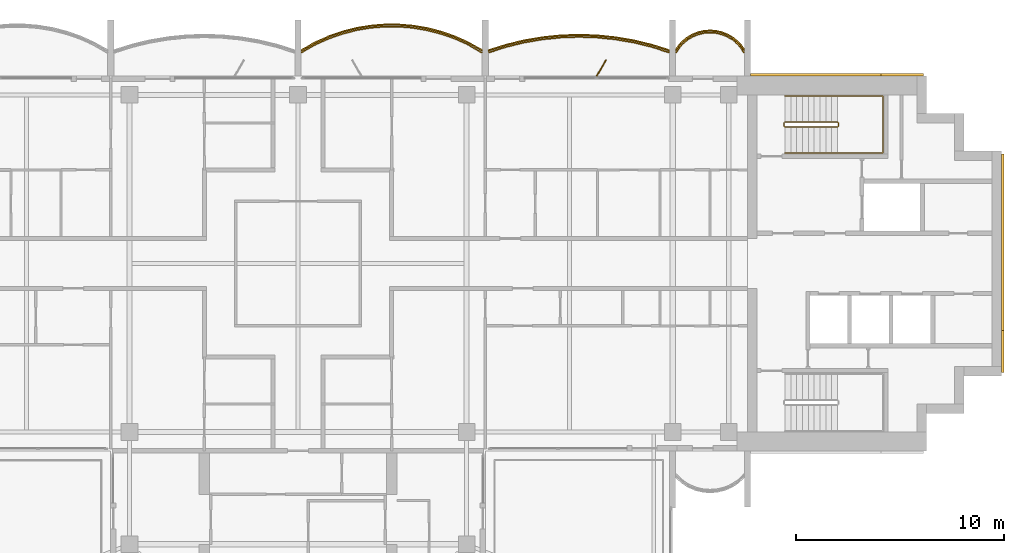
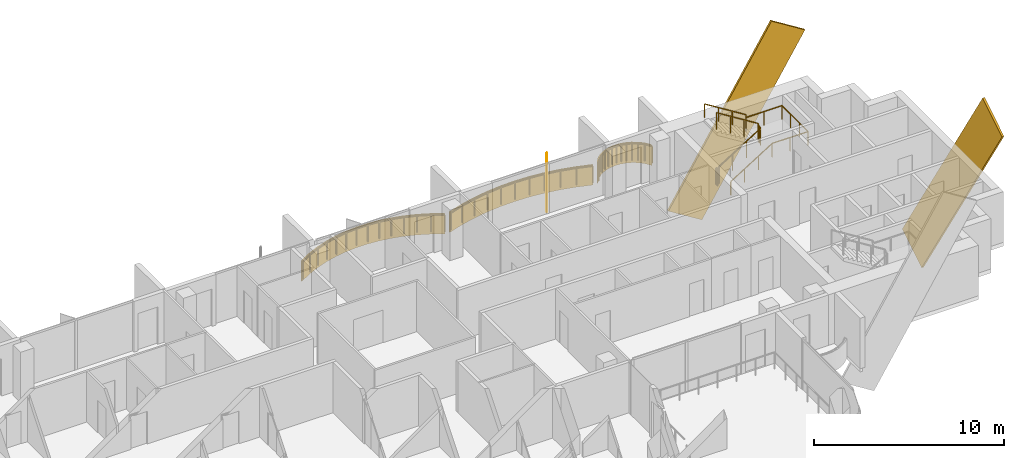
# One storey, part 16 of 16: 5 coverings, 5 railings, 1 shading device.
"""IFC4 building model written with IfcOpenShell, lengths in metres."""

from ifc_helpers import new_model, si_unit, direction, frame, origin, origin_2d, place, context, subcontext, project, spatial, polyline, rectangle, outline, extrude, material, layer, layer_set, material_profile, profile_set, type_object, element, save


model = new_model("IFC4")

# Units and contexts
model_context = context("Model", 3, precision=1e-05, world=origin(), true_north=direction((0.0, 1.0)))
body_context = subcontext(model_context, "Body", "Model", "MODEL_VIEW")
ifc_project = project(units=[si_unit("LENGTHUNIT", "METRE"), si_unit("AREAUNIT", "SQUARE_METRE"), si_unit("VOLUMEUNIT", "CUBIC_METRE"), si_unit("PLANEANGLEUNIT", "RADIAN"), si_unit("MASSUNIT", "GRAM", prefix="KILO")], contexts=[model_context])

# Site, building, storey
site_placement = place(None, origin())
site = spatial("IfcSite", under=ifc_project, at=site_placement, CompositionType="ELEMENT")
building_placement = place(site_placement, origin())
building = spatial("IfcBuilding", under=site, at=building_placement, Name="Perihelion Cross Residences", CompositionType="ELEMENT")
storey_placement = place(building_placement, frame((0.0, 0.0, 239.5)))
storey = spatial("IfcBuildingStorey", under=building, at=storey_placement, Name="L60", CompositionType="ELEMENT", Elevation=239.5)

# Coverings
ifc_material_1 = material(Name="Bronze anodised aluminium", Category="aluminium")
ifc_layer_1 = layer(ifc_material_1, 0.070068359375)
ifc_layer_set_1 = layer_set([ifc_layer_1], Name="Balcony fascia 1300")
covering_type_1 = type_object("IfcCoveringType", Name="Balcony fascia 1300", PredefinedType="CLADDING", material=ifc_layer_set_1)
covering_1_placement = place(storey_placement, frame((0.0, 0.0, -0.199951171875)))
element("IfcCovering", 1, at=covering_1_placement, inside=storey, type_object=covering_type_1, Name="Fascia BF1 L60 east side north bay 1", PredefinedType="CLADDING", context=body_context, shape_type="SweptSolid", body=[
    extrude(outline(polyline([(21.226318359375, 10.616455078125), (20.94091796875, 10.86328125), (20.655517578125, 11.031494140625), (20.370361328125, 11.142578125), (20.085205078125, 11.206298828125), (19.800048828125, 11.22705078125), (19.514892578125, 11.206298828125), (19.229736328125, 11.142578125), (18.9443359375, 11.031494140625), (18.6591796875, 10.86328125), (18.373779296875, 10.616455078125), (18.14990234375, 10.31689453125), (18.14990234375, 10.199951171875), (18.425048828125, 10.568603515625), (18.699951171875, 10.806396484375), (18.97509765625, 10.96875), (19.25, 11.07568359375), (19.52490234375, 11.136962890625), (19.800048828125, 11.156982421875), (20.074951171875, 11.136962890625), (20.35009765625, 11.07568359375), (20.625, 10.96875), (20.89990234375, 10.806396484375), (21.175048828125, 10.568603515625), (21.449951171875, 10.199951171875), (21.449951171875, 10.31689453125), (21.226318359375, 10.616455078125)])), origin(), (0.0, 0.0, 1.0), 1.300048828125),
])
covering_2_placement = place(storey_placement, frame((0.0, 0.0, -0.199951171875)))
element("IfcCovering", 2, at=covering_2_placement, inside=storey, type_object=covering_type_1, Name="Fascia BF1 L60 east side north bay 2", PredefinedType="CLADDING", context=body_context, shape_type="SweptSolid", body=[
    extrude(outline(polyline([(16.998779296875, 10.542724609375), (16.1240234375, 10.753662109375), (15.249267578125, 10.90234375), (14.374755859375, 10.99072265625), (13.5, 11.02001953125), (12.625244140625, 10.99072265625), (11.750732421875, 10.90234375), (10.8759765625, 10.753662109375), (10.001220703125, 10.542724609375), (9.14990234375, 10.2734375), (9.14990234375, 10.199951171875), (10.02001953125, 10.47509765625), (10.889892578125, 10.68505859375), (11.760009765625, 10.8330078125), (12.6298828125, 10.9208984375), (13.5, 10.949951171875), (14.3701171875, 10.9208984375), (15.239990234375, 10.8330078125), (16.110107421875, 10.68505859375), (16.97998046875, 10.47509765625), (17.85009765625, 10.199951171875), (17.85009765625, 10.2734375), (16.998779296875, 10.542724609375)])), origin(), (0.0, 0.0, 1.0), 1.300048828125),
])
covering_3_placement = place(storey_placement, frame((0.0, 0.0, -0.199951171875)))
element("IfcCovering", 3, at=covering_3_placement, inside=storey, type_object=covering_type_1, Name="Fascia BF1 L60 north side east bay 1", PredefinedType="CLADDING", context=body_context, shape_type="SweptSolid", body=[
    extrude(outline(polyline([(8.212158203125, 10.63916015625), (7.537353515625, 10.941650390625), (6.8623046875, 11.175048828125), (6.1875, 11.345947265625), (5.512451171875, 11.457763671875), (4.83740234375, 11.51318359375), (4.16259765625, 11.51318359375), (3.487548828125, 11.457763671875), (2.8125, 11.345947265625), (2.1376953125, 11.175048828125), (1.462646484375, 10.941650390625), (0.787841796875, 10.63916015625), (0.14990234375, 10.2802734375), (0.14990234375, 10.199951171875), (0.8193359375, 10.57666015625), (1.488525390625, 10.87646484375), (2.15771484375, 11.108154296875), (2.826904296875, 11.27734375), (3.49609375, 11.38818359375), (4.165283203125, 11.443115234375), (4.834716796875, 11.443115234375), (5.50390625, 11.38818359375), (6.173095703125, 11.27734375), (6.84228515625, 11.108154296875), (7.511474609375, 10.87646484375), (8.1806640625, 10.57666015625), (8.85009765625, 10.199951171875), (8.85009765625, 10.2802734375), (8.212158203125, 10.63916015625)])), origin(), (0.0, 0.0, 1.0), 1.300048828125),
])

# Railings
ifc_material_2 = material(Name="Bronze anodised aluminium", Category="aluminium")
railing_type_1 = type_object("IfcRailingType", Name="Balcony guard 1100", PredefinedType="GUARDRAIL", material=ifc_material_2)
railing_1_placement = place(storey_placement, frame((21.425048828125, 10.139892578125, 0.0)))
element("IfcRailing", 4, at=railing_1_placement, inside=storey, type_object=railing_type_1, Name="Guard GU1 L60 east side north bay 1 balcony", PredefinedType="GUARDRAIL", context=body_context, shape_type="SweptSolid", body=[
    extrude(rectangle(XDim=0.048095703125, YDim=0.048095703125, at=origin_2d()), frame((0.0, 0.0, 1.076171875), z_axis=(-0.561260132269, 0.827639452857, 0.0), x_axis=(-0.827639452857, -0.561260132269, 0.0)), (0.0, 0.0, 1.0), 0.4453125),
    extrude(rectangle(XDim=0.048095703125, YDim=0.048095703125, at=origin_2d()), frame((-0.25, 0.36865234375, 1.076171875), z_axis=(-0.756596535164, 0.653882009982, 0.0), x_axis=(-0.653882009982, -0.756596535164, 0.0)), (0.0, 0.0, 1.0), 0.36376953125),
    extrude(rectangle(XDim=0.048095703125, YDim=0.048095703125, at=origin_2d()), frame((-0.525146484375, 0.6064453125, 1.076171875), z_axis=(-0.861048292884, 0.508523192511, 0.0), x_axis=(-0.508523192511, -0.861048292884, 0.0)), (0.0, 0.0, 1.0), 0.3193359375),
    extrude(rectangle(XDim=0.048095703125, YDim=0.048095703125, at=origin_2d()), frame((-0.800048828125, 0.768798828125, 1.076171875), z_axis=(-0.931973602183, 0.362526143656, 0.0), x_axis=(-0.362526143656, -0.931973602183, 0.0)), (0.0, 0.0, 1.0), 0.294921875),
    extrude(rectangle(XDim=0.048095703125, YDim=0.048095703125, at=origin_2d()), frame((-1.074951171875, 0.875732421875, 1.076171875), z_axis=(-0.976085059389, 0.21738895289, 0.0), x_axis=(-0.21738895289, -0.976085059389, 0.0)), (0.0, 0.0, 1.0), 0.281982421875),
    extrude(rectangle(XDim=0.048095703125, YDim=0.048095703125, at=origin_2d()), frame((-1.35009765625, 0.93701171875, 1.076171875), z_axis=(-0.997358821833, 0.072631814734, 0.0), x_axis=(-0.072631814734, -0.997358821833, 0.0)), (0.0, 0.0, 1.0), 0.275634765625),
    extrude(rectangle(XDim=0.048095703125, YDim=0.048095703125, at=origin_2d()), frame((-1.625, 0.95703125, 1.076171875), z_axis=(-0.997363488337, -0.072567707226, 0.0), x_axis=(0.072567707226, -0.997363488337, 0.0)), (0.0, 0.0, 1.0), 0.27587890625),
    extrude(rectangle(XDim=0.048095703125, YDim=0.048095703125, at=origin_2d()), frame((-1.900146484375, 0.93701171875, 1.076171875), z_axis=(-0.976044077717, -0.217572880557, 0.0), x_axis=(0.217572880557, -0.976044077717, 0.0)), (0.0, 0.0, 1.0), 0.28173828125),
    extrude(rectangle(XDim=0.048095703125, YDim=0.048095703125, at=origin_2d()), frame((-2.175048828125, 0.875732421875, 1.076171875), z_axis=(-0.931973602183, -0.362526143656, 0.0), x_axis=(0.362526143656, -0.931973602183, 0.0)), (0.0, 0.0, 1.0), 0.294921875),
    extrude(rectangle(XDim=0.048095703125, YDim=0.048095703125, at=origin_2d()), frame((-2.449951171875, 0.768798828125, 1.076171875), z_axis=(-0.861245845072, -0.508188542123, 0.0), x_axis=(0.508188542123, -0.861245845072, 0.0)), (0.0, 0.0, 1.0), 0.319580078125),
    extrude(rectangle(XDim=0.048095703125, YDim=0.048095703125, at=origin_2d()), frame((-2.72509765625, 0.6064453125, 1.076171875), z_axis=(-0.756309278473, -0.654214242658, 0.0), x_axis=(0.654214242658, -0.756309278473, 0.0)), (0.0, 0.0, 1.0), 0.363525390625),
    extrude(rectangle(XDim=0.048095703125, YDim=0.048095703125, at=origin_2d()), frame((-3.0, 0.36865234375, 1.076171875), z_axis=(-0.561260132269, -0.827639452857, 0.0), x_axis=(0.827639452857, -0.561260132269, 0.0)), (0.0, 0.0, 1.0), 0.4453125),
    extrude(rectangle(XDim=0.0419921875, YDim=0.0419921875, at=origin_2d()), origin(), (0.0, 0.0, 1.0), 1.052001953125),
    extrude(rectangle(XDim=0.0419921875, YDim=0.0419921875, at=origin_2d()), frame((-0.25, 0.36865234375, 0.0)), (0.0, 0.0, 1.0), 1.052001953125),
    extrude(rectangle(XDim=0.0419921875, YDim=0.0419921875, at=origin_2d()), frame((-0.525146484375, 0.6064453125, 0.0)), (0.0, 0.0, 1.0), 1.052001953125),
    extrude(rectangle(XDim=0.0419921875, YDim=0.0419921875, at=origin_2d()), frame((-0.800048828125, 0.768798828125, 0.0)), (0.0, 0.0, 1.0), 1.052001953125),
    extrude(rectangle(XDim=0.0419921875, YDim=0.0419921875, at=origin_2d()), frame((-1.074951171875, 0.875732421875, 0.0)), (0.0, 0.0, 1.0), 1.052001953125),
    extrude(rectangle(XDim=0.0419921875, YDim=0.0419921875, at=origin_2d()), frame((-1.35009765625, 0.93701171875, 0.0)), (0.0, 0.0, 1.0), 1.052001953125),
    extrude(rectangle(XDim=0.0419921875, YDim=0.0419921875, at=origin_2d()), frame((-1.625, 0.95703125, 0.0)), (0.0, 0.0, 1.0), 1.052001953125),
    extrude(rectangle(XDim=0.0419921875, YDim=0.0419921875, at=origin_2d()), frame((-1.900146484375, 0.93701171875, 0.0)), (0.0, 0.0, 1.0), 1.052001953125),
    extrude(rectangle(XDim=0.0419921875, YDim=0.0419921875, at=origin_2d()), frame((-2.175048828125, 0.875732421875, 0.0)), (0.0, 0.0, 1.0), 1.052001953125),
    extrude(rectangle(XDim=0.0419921875, YDim=0.0419921875, at=origin_2d()), frame((-2.449951171875, 0.768798828125, 0.0)), (0.0, 0.0, 1.0), 1.052001953125),
    extrude(rectangle(XDim=0.0419921875, YDim=0.0419921875, at=origin_2d()), frame((-2.72509765625, 0.6064453125, 0.0)), (0.0, 0.0, 1.0), 1.052001953125),
    extrude(rectangle(XDim=0.0419921875, YDim=0.0419921875, at=origin_2d()), frame((-3.0, 0.36865234375, 0.0)), (0.0, 0.0, 1.0), 1.052001953125),
    extrude(rectangle(XDim=0.0419921875, YDim=0.0419921875, at=origin_2d()), frame((-3.25, 0.0, 0.0)), (0.0, 0.0, 1.0), 1.052001953125),
])
railing_2_placement = place(storey_placement, frame((17.824951171875, 10.139892578125, 0.0)))
element("IfcRailing", 5, at=railing_2_placement, inside=storey, type_object=railing_type_1, Name="Guard GU1 L60 east side north bay 2 balcony", PredefinedType="GUARDRAIL", context=body_context, shape_type="SweptSolid", body=[
    extrude(rectangle(XDim=0.048095703125, YDim=0.048095703125, at=origin_2d()), frame((0.0, 0.0, 1.076171875), z_axis=(-0.950777354264, 0.30987484993, 0.0), x_axis=(-0.30987484993, -0.950777354264, 0.0)), (0.0, 0.0, 1.0), 0.888671875),
    extrude(rectangle(XDim=0.048095703125, YDim=0.048095703125, at=origin_2d()), frame((-0.844970703125, 0.275390625, 1.076171875), z_axis=(-0.972146551129, 0.234373810671, 0.0), x_axis=(-0.234373810671, -0.972146551129, 0.0)), (0.0, 0.0, 1.0), 0.894775390625),
    extrude(rectangle(XDim=0.048095703125, YDim=0.048095703125, at=origin_2d()), frame((-1.71484375, 0.485107421875, 1.076171875), z_axis=(-0.985850361727, 0.167627755108, 0.0), x_axis=(-0.167627755108, -0.985850361727, 0.0)), (0.0, 0.0, 1.0), 0.882568359375),
    extrude(rectangle(XDim=0.048095703125, YDim=0.048095703125, at=origin_2d()), frame((-2.5849609375, 0.633056640625, 1.076171875), z_axis=(-0.994934368303, 0.100526627165, 0.0), x_axis=(-0.100526627165, -0.994934368303, 0.0)), (0.0, 0.0, 1.0), 0.874267578125),
    extrude(rectangle(XDim=0.048095703125, YDim=0.048095703125, at=origin_2d()), frame((-3.454833984375, 0.720947265625, 1.076171875), z_axis=(-0.999443037968, 0.0333708534, 0.0), x_axis=(-0.0333708534, -0.999443037968, 0.0)), (0.0, 0.0, 1.0), 0.87060546875),
    extrude(rectangle(XDim=0.048095703125, YDim=0.048095703125, at=origin_2d()), frame((-4.324951171875, 0.75, 1.076171875), z_axis=(-0.999443037968, -0.0333708534, 0.0), x_axis=(0.0333708534, -0.999443037968, 0.0)), (0.0, 0.0, 1.0), 0.87060546875),
    extrude(rectangle(XDim=0.048095703125, YDim=0.048095703125, at=origin_2d()), frame((-5.195068359375, 0.720947265625, 1.076171875), z_axis=(-0.994934368303, -0.100526627165, 0.0), x_axis=(0.100526627165, -0.994934368303, 0.0)), (0.0, 0.0, 1.0), 0.874267578125),
    extrude(rectangle(XDim=0.048095703125, YDim=0.048095703125, at=origin_2d()), frame((-6.06494140625, 0.633056640625, 1.076171875), z_axis=(-0.985850361727, -0.167627755108, 0.0), x_axis=(0.167627755108, -0.985850361727, 0.0)), (0.0, 0.0, 1.0), 0.882568359375),
    extrude(rectangle(XDim=0.048095703125, YDim=0.048095703125, at=origin_2d()), frame((-6.93505859375, 0.485107421875, 1.076171875), z_axis=(-0.972146551129, -0.234373810671, 0.0), x_axis=(0.234373810671, -0.972146551129, 0.0)), (0.0, 0.0, 1.0), 0.894775390625),
    extrude(rectangle(XDim=0.048095703125, YDim=0.048095703125, at=origin_2d()), frame((-7.804931640625, 0.275390625, 1.076171875), z_axis=(-0.950777354264, -0.30987484993, 0.0), x_axis=(0.30987484993, -0.950777354264, 0.0)), (0.0, 0.0, 1.0), 0.888671875),
    extrude(rectangle(XDim=0.0419921875, YDim=0.0419921875, at=origin_2d()), origin(), (0.0, 0.0, 1.0), 1.052001953125),
    extrude(rectangle(XDim=0.0419921875, YDim=0.0419921875, at=origin_2d()), frame((-0.844970703125, 0.275390625, 0.0)), (0.0, 0.0, 1.0), 1.052001953125),
    extrude(rectangle(XDim=0.0419921875, YDim=0.0419921875, at=origin_2d()), frame((-1.71484375, 0.485107421875, 0.0)), (0.0, 0.0, 1.0), 1.052001953125),
    extrude(rectangle(XDim=0.0419921875, YDim=0.0419921875, at=origin_2d()), frame((-2.5849609375, 0.633056640625, 0.0)), (0.0, 0.0, 1.0), 1.052001953125),
    extrude(rectangle(XDim=0.0419921875, YDim=0.0419921875, at=origin_2d()), frame((-3.454833984375, 0.720947265625, 0.0)), (0.0, 0.0, 1.0), 1.052001953125),
    extrude(rectangle(XDim=0.0419921875, YDim=0.0419921875, at=origin_2d()), frame((-4.324951171875, 0.75, 0.0)), (0.0, 0.0, 1.0), 1.052001953125),
    extrude(rectangle(XDim=0.0419921875, YDim=0.0419921875, at=origin_2d()), frame((-5.195068359375, 0.720947265625, 0.0)), (0.0, 0.0, 1.0), 1.052001953125),
    extrude(rectangle(XDim=0.0419921875, YDim=0.0419921875, at=origin_2d()), frame((-6.06494140625, 0.633056640625, 0.0)), (0.0, 0.0, 1.0), 1.052001953125),
    extrude(rectangle(XDim=0.0419921875, YDim=0.0419921875, at=origin_2d()), frame((-6.93505859375, 0.485107421875, 0.0)), (0.0, 0.0, 1.0), 1.052001953125),
    extrude(rectangle(XDim=0.0419921875, YDim=0.0419921875, at=origin_2d()), frame((-7.804931640625, 0.275390625, 0.0)), (0.0, 0.0, 1.0), 1.052001953125),
    extrude(rectangle(XDim=0.0419921875, YDim=0.0419921875, at=origin_2d()), frame((-8.64990234375, 0.0, 0.0)), (0.0, 0.0, 1.0), 1.052001953125),
])
railing_3_placement = place(storey_placement, frame((8.824951171875, 10.139892578125, 0.0)))
element("IfcRailing", 6, at=railing_3_placement, inside=storey, type_object=railing_type_1, Name="Guard GU1 L60 north side east bay 1 balcony", PredefinedType="GUARDRAIL", context=body_context, shape_type="SweptSolid", body=[
    extrude(rectangle(XDim=0.048095703125, YDim=0.048095703125, at=origin_2d()), frame((0.0, 0.0, 1.076171875), z_axis=(-0.863125740505, 0.504989065305, 0.0), x_axis=(-0.504989065305, -0.863125740505, 0.0)), (0.0, 0.0, 1.0), 0.746337890625),
    extrude(rectangle(XDim=0.048095703125, YDim=0.048095703125, at=origin_2d()), frame((-0.644287109375, 0.376953125, 1.076171875), z_axis=(-0.912723499295, 0.408577794103, 0.0), x_axis=(-0.408577794103, -0.912723499295, 0.0)), (0.0, 0.0, 1.0), 0.733154296875),
    extrude(rectangle(XDim=0.048095703125, YDim=0.048095703125, at=origin_2d()), frame((-1.3134765625, 0.676513671875, 1.076171875), z_axis=(-0.944965577734, 0.327169767701, 0.0), x_axis=(-0.327169767701, -0.944965577734, 0.0)), (0.0, 0.0, 1.0), 0.708251953125),
    extrude(rectangle(XDim=0.048095703125, YDim=0.048095703125, at=origin_2d()), frame((-1.982666015625, 0.908203125, 1.076171875), z_axis=(-0.96949408574, 0.245114703181, 0.0), x_axis=(-0.245114703181, -0.96949408574, 0.0)), (0.0, 0.0, 1.0), 0.690185546875),
    extrude(rectangle(XDim=0.048095703125, YDim=0.048095703125, at=origin_2d()), frame((-2.65185546875, 1.077392578125, 1.076171875), z_axis=(-0.986500713816, 0.163756959061, 0.0), x_axis=(-0.163756959061, -0.986500713816, 0.0)), (0.0, 0.0, 1.0), 0.678466796875),
    extrude(rectangle(XDim=0.048095703125, YDim=0.048095703125, at=origin_2d()), frame((-3.321044921875, 1.1884765625, 1.076171875), z_axis=(-0.996677390684, 0.081450468994, 0.0), x_axis=(-0.081450468994, -0.996677390684, 0.0)), (0.0, 0.0, 1.0), 0.67138671875),
    extrude(rectangle(XDim=0.048095703125, YDim=0.048095703125, at=origin_2d()), frame((-3.990234375, 1.2431640625, 1.076171875), z_axis=(-1.0, 0.0, 0.0), x_axis=(0.0, -1.0, 0.0)), (0.0, 0.0, 1.0), 0.66943359375),
    extrude(rectangle(XDim=0.048095703125, YDim=0.048095703125, at=origin_2d()), frame((-4.65966796875, 1.2431640625, 1.076171875), z_axis=(-0.996677390684, -0.081450468994, 0.0), x_axis=(0.081450468994, -0.996677390684, 0.0)), (0.0, 0.0, 1.0), 0.67138671875),
    extrude(rectangle(XDim=0.048095703125, YDim=0.048095703125, at=origin_2d()), frame((-5.328857421875, 1.1884765625, 1.076171875), z_axis=(-0.986500713816, -0.163756959061, 0.0), x_axis=(0.163756959061, -0.986500713816, 0.0)), (0.0, 0.0, 1.0), 0.678466796875),
    extrude(rectangle(XDim=0.048095703125, YDim=0.048095703125, at=origin_2d()), frame((-5.998046875, 1.077392578125, 1.076171875), z_axis=(-0.96949408574, -0.245114703181, 0.0), x_axis=(0.245114703181, -0.96949408574, 0.0)), (0.0, 0.0, 1.0), 0.690185546875),
    extrude(rectangle(XDim=0.048095703125, YDim=0.048095703125, at=origin_2d()), frame((-6.667236328125, 0.908203125, 1.076171875), z_axis=(-0.944965577734, -0.327169767701, 0.0), x_axis=(0.327169767701, -0.944965577734, 0.0)), (0.0, 0.0, 1.0), 0.708251953125),
    extrude(rectangle(XDim=0.048095703125, YDim=0.048095703125, at=origin_2d()), frame((-7.33642578125, 0.676513671875, 1.076171875), z_axis=(-0.912723499295, -0.408577794103, 0.0), x_axis=(0.408577794103, -0.912723499295, 0.0)), (0.0, 0.0, 1.0), 0.733154296875),
    extrude(rectangle(XDim=0.048095703125, YDim=0.048095703125, at=origin_2d()), frame((-8.005615234375, 0.376953125, 1.076171875), z_axis=(-0.863125740505, -0.504989065305, 0.0), x_axis=(0.504989065305, -0.863125740505, 0.0)), (0.0, 0.0, 1.0), 0.746337890625),
    extrude(rectangle(XDim=0.0419921875, YDim=0.0419921875, at=origin_2d()), origin(), (0.0, 0.0, 1.0), 1.052001953125),
    extrude(rectangle(XDim=0.0419921875, YDim=0.0419921875, at=origin_2d()), frame((-0.644287109375, 0.376953125, 0.0)), (0.0, 0.0, 1.0), 1.052001953125),
    extrude(rectangle(XDim=0.0419921875, YDim=0.0419921875, at=origin_2d()), frame((-1.3134765625, 0.676513671875, 0.0)), (0.0, 0.0, 1.0), 1.052001953125),
    extrude(rectangle(XDim=0.0419921875, YDim=0.0419921875, at=origin_2d()), frame((-1.982666015625, 0.908203125, 0.0)), (0.0, 0.0, 1.0), 1.052001953125),
    extrude(rectangle(XDim=0.0419921875, YDim=0.0419921875, at=origin_2d()), frame((-2.65185546875, 1.077392578125, 0.0)), (0.0, 0.0, 1.0), 1.052001953125),
    extrude(rectangle(XDim=0.0419921875, YDim=0.0419921875, at=origin_2d()), frame((-3.321044921875, 1.1884765625, 0.0)), (0.0, 0.0, 1.0), 1.052001953125),
    extrude(rectangle(XDim=0.0419921875, YDim=0.0419921875, at=origin_2d()), frame((-3.990234375, 1.2431640625, 0.0)), (0.0, 0.0, 1.0), 1.052001953125),
    extrude(rectangle(XDim=0.0419921875, YDim=0.0419921875, at=origin_2d()), frame((-4.65966796875, 1.2431640625, 0.0)), (0.0, 0.0, 1.0), 1.052001953125),
    extrude(rectangle(XDim=0.0419921875, YDim=0.0419921875, at=origin_2d()), frame((-5.328857421875, 1.1884765625, 0.0)), (0.0, 0.0, 1.0), 1.052001953125),
    extrude(rectangle(XDim=0.0419921875, YDim=0.0419921875, at=origin_2d()), frame((-5.998046875, 1.077392578125, 0.0)), (0.0, 0.0, 1.0), 1.052001953125),
    extrude(rectangle(XDim=0.0419921875, YDim=0.0419921875, at=origin_2d()), frame((-6.667236328125, 0.908203125, 0.0)), (0.0, 0.0, 1.0), 1.052001953125),
    extrude(rectangle(XDim=0.0419921875, YDim=0.0419921875, at=origin_2d()), frame((-7.33642578125, 0.676513671875, 0.0)), (0.0, 0.0, 1.0), 1.052001953125),
    extrude(rectangle(XDim=0.0419921875, YDim=0.0419921875, at=origin_2d()), frame((-8.005615234375, 0.376953125, 0.0)), (0.0, 0.0, 1.0), 1.052001953125),
    extrude(rectangle(XDim=0.0419921875, YDim=0.0419921875, at=origin_2d()), frame((-8.64990234375, 0.0, 0.0)), (0.0, 0.0, 1.0), 1.052001953125),
])

# Coverings
ifc_material_3 = material(Name="Bronze anodised aluminium", Category="aluminium")
ifc_material_profile = material_profile(ifc_material_3, rectangle(XDim=0.125, YDim=2.39990234375, at=origin_2d()), Name="Bronze cladding band 2400")
ifc_profile_set = profile_set([ifc_material_profile], Name="Bronze anodised aluminium")
covering_type_2 = type_object("IfcCoveringType", Name="Bronze cladding band 2400", PredefinedType="CLADDING", material=ifc_profile_set)
covering_4_placement = place(storey_placement, frame((22.767578125, 9.0625, -3.15478515625), z_axis=(0.529915403603, 0.0, 0.848050508534), x_axis=(0.0, 1.0, 0.0)))
element("IfcCovering", 7, at=covering_4_placement, inside=storey, type_object=covering_type_2, Name="Core cladding band, east core", PredefinedType="CLADDING", context=body_context, shape_type="SweptSolid", body=[
    extrude(rectangle(XDim=0.125, YDim=2.39990234375, at=origin_2d()), origin(), (0.0, 0.0, 1.0), 11.822021484375),
])
covering_5_placement = place(storey_placement, frame((33.862548828125, 4.232421875, -6.234619140625), z_axis=(0.0, -0.529924750763, 0.848044667767), x_axis=(1.0, 0.0, 0.0)))
element("IfcCovering", 8, at=covering_5_placement, inside=storey, type_object=covering_type_2, Name="Core cladding band, east core", PredefinedType="CLADDING", context=body_context, shape_type="SweptSolid", body=[
    extrude(rectangle(XDim=0.125, YDim=2.39990234375, at=origin_2d()), origin(), (0.0, 0.0, 1.0), 15.9736328125),
])

# Shading device
ifc_material_4 = material(Name="Bronze anodised aluminium", Category="aluminium")
ifc_layer_2 = layer(ifc_material_4, 0.050048828125)
ifc_layer_set_2 = layer_set([ifc_layer_2], Name="Bronze fin 900")
shading_device_type = type_object("IfcShadingDeviceType", Name="Bronze fin 900", PredefinedType="USERDEFINED", material=ifc_layer_set_2)
shading_device_placement = place(storey_placement, frame((14.574951171875, 9.3896484375, 0.0), z_axis=(0.0, 0.0, 1.0), x_axis=(0.5, 0.866025403784, 0.0)))
element("IfcShadingDevice", 9, at=shading_device_placement, inside=storey, type_object=shading_device_type, Name="Fin FN1 L60 east side north bay 2", ObjectType="FIN", PredefinedType="USERDEFINED", context=body_context, shape_type="SweptSolid", body=[
    extrude(rectangle(XDim=0.89990234375, YDim=0.050048828125, at=origin_2d()), origin(), (0.0, 0.0, 1.0), 3.25),
])

# Railings
ifc_material_5 = material(Name="Stainless steel", Category="steel")
railing_type_2 = type_object("IfcRailingType", Name="Stair guard 1100", PredefinedType="GUARDRAIL", material=ifc_material_5)
railing_4_placement = place(storey_placement, frame((23.35009765625, 6.75, 0.0)))
element("IfcRailing", 10, at=railing_4_placement, inside=storey, type_object=railing_type_2, Name="L60 ST-E1 stair guard 1", PredefinedType="GUARDRAIL", context=body_context, shape_type="SweptSolid", body=[
    extrude(rectangle(XDim=0.048095703125, YDim=0.048095703125, at=origin_2d()), frame((0.0, 0.0, 1.076171875), z_axis=(0.0, -1.0, 0.0), x_axis=(1.0, 0.0, 0.0)), (0.0, 0.0, 1.0), 0.14990234375),
    extrude(rectangle(XDim=0.048095703125, YDim=0.048095703125, at=origin_2d()), frame((0.0, -0.14990234375, 1.076171875), z_axis=(0.263862480399, -0.265155923931, 0.927399011991), x_axis=(0.708833529934, 0.705375805398, 0.0)), (0.0, 0.0, 1.0), 0.188720703125),
    extrude(rectangle(XDim=0.048095703125, YDim=0.048095703125, at=origin_2d()), frame((0.0498046875, -0.199951171875, 1.2509765625), z_axis=(0.848007534815, 0.0, 0.529984170421), x_axis=(0.0, 1.0, 0.0)), (0.0, 0.0, 1.0), 2.9716796875),
    extrude(rectangle(XDim=0.048095703125, YDim=0.048095703125, at=origin_2d()), frame((2.56982421875, -0.199951171875, 2.826171875), z_axis=(0.707106781187, 0.707106781187, 0.0), x_axis=(-0.707106781187, 0.707106781187, 0.0)), (0.0, 0.0, 1.0), 0.07080078125),
    extrude(rectangle(XDim=0.048095703125, YDim=0.048095703125, at=origin_2d()), frame((2.619873046875, -0.14990234375, 2.826171875), z_axis=(0.0, 1.0, 0.0), x_axis=(-1.0, 0.0, 0.0)), (0.0, 0.0, 1.0), 0.14990234375),
    extrude(rectangle(XDim=0.048095703125, YDim=0.048095703125, at=origin_2d()), frame((2.619873046875, 0.0, 2.826171875), z_axis=(-0.265065253269, 0.265065253269, 0.927081885822), x_axis=(-0.707106781187, -0.707106781187, 0.0)), (0.0, 0.0, 1.0), 0.188720703125),
    extrude(rectangle(XDim=0.048095703125, YDim=0.048095703125, at=origin_2d()), frame((2.56982421875, 0.050048828125, 3.0009765625), z_axis=(-0.848007534815, 0.0, 0.529984170421), x_axis=(0.0, -1.0, 0.0)), (0.0, 0.0, 1.0), 2.9716796875),
    extrude(rectangle(XDim=0.0419921875, YDim=0.0419921875, at=origin_2d()), origin(), (0.0, 0.0, 1.0), 1.052001953125),
    extrude(rectangle(XDim=0.0419921875, YDim=0.0419921875, at=origin_2d()), frame((0.0, -0.14990234375, 0.0)), (0.0, 0.0, 1.0), 1.052001953125),
    extrude(rectangle(XDim=0.0419921875, YDim=0.0419921875, at=origin_2d()), frame((0.0498046875, -0.199951171875, 0.175048828125)), (0.0, 0.0, 1.0), 1.052001953125),
    extrude(rectangle(XDim=0.0419921875, YDim=0.0419921875, at=origin_2d()), frame((0.889892578125, -0.199951171875, 0.699951171875)), (0.0, 0.0, 1.0), 1.052001953125),
    extrude(rectangle(XDim=0.0419921875, YDim=0.0419921875, at=origin_2d()), frame((1.729736328125, -0.199951171875, 1.22509765625)), (0.0, 0.0, 1.0), 1.052001953125),
    extrude(rectangle(XDim=0.0419921875, YDim=0.0419921875, at=origin_2d()), frame((2.56982421875, -0.199951171875, 1.75)), (0.0, 0.0, 1.0), 1.052001953125),
    extrude(rectangle(XDim=0.0419921875, YDim=0.0419921875, at=origin_2d()), frame((2.619873046875, -0.14990234375, 1.75)), (0.0, 0.0, 1.0), 1.052001953125),
    extrude(rectangle(XDim=0.0419921875, YDim=0.0419921875, at=origin_2d()), frame((2.619873046875, 0.0, 1.75)), (0.0, 0.0, 1.0), 1.052001953125),
    extrude(rectangle(XDim=0.0419921875, YDim=0.0419921875, at=origin_2d()), frame((2.56982421875, 0.050048828125, 1.925048828125)), (0.0, 0.0, 1.0), 1.052001953125),
    extrude(rectangle(XDim=0.0419921875, YDim=0.0419921875, at=origin_2d()), frame((1.729736328125, 0.050048828125, 2.449951171875)), (0.0, 0.0, 1.0), 1.052001953125),
    extrude(rectangle(XDim=0.0419921875, YDim=0.0419921875, at=origin_2d()), frame((0.889892578125, 0.050048828125, 2.97509765625)), (0.0, 0.0, 1.0), 1.052001953125),
    extrude(rectangle(XDim=0.0419921875, YDim=0.0419921875, at=origin_2d()), frame((0.0498046875, 0.050048828125, 3.5)), (0.0, 0.0, 1.0), 1.052001953125),
])
ifc_material_6 = material(Name="Stainless steel", Category="steel")
railing_type_3 = type_object("IfcRailingType", Name="Stair handrail 900", PredefinedType="HANDRAIL", material=ifc_material_6)
railing_5_placement = place(storey_placement, frame((23.39990234375, 5.300048828125, 0.175048828125)))
element("IfcRailing", 11, at=railing_5_placement, inside=storey, type_object=railing_type_3, Name="L60 ST-E1 stair handrail 1", PredefinedType="HANDRAIL", context=body_context, shape_type="SweptSolid", body=[
    extrude(rectangle(XDim=0.048095703125, YDim=0.048095703125, at=origin_2d()), frame((0.0, 0.0, 0.8759765625), z_axis=(0.848007534815, 0.0, 0.529984170421), x_axis=(0.0, 1.0, 0.0)), (0.0, 0.0, 1.0), 2.9716796875),
    extrude(rectangle(XDim=0.048095703125, YDim=0.048095703125, at=origin_2d()), frame((2.52001953125, 0.0, 2.45068359375), z_axis=(1.0, 0.0, 0.0), x_axis=(0.0, 1.0, 0.0)), (0.0, 0.0, 1.0), 2.18017578125),
    extrude(rectangle(XDim=0.048095703125, YDim=0.048095703125, at=origin_2d()), frame((4.7001953125, 0.0, 2.45068359375), z_axis=(0.0, 1.0, 0.0), x_axis=(-1.0, 0.0, 0.0)), (0.0, 0.0, 1.0), 2.75),
    extrude(rectangle(XDim=0.048095703125, YDim=0.048095703125, at=origin_2d()), frame((4.7001953125, 2.75, 2.45068359375), z_axis=(-1.0, 0.0, 0.0), x_axis=(0.0, -1.0, 0.0)), (0.0, 0.0, 1.0), 2.18017578125),
    extrude(rectangle(XDim=0.048095703125, YDim=0.048095703125, at=origin_2d()), frame((2.52001953125, 2.75, 2.45068359375), z_axis=(0.0, 0.0, 1.0), x_axis=(1.0, 0.0, 0.0)), (0.0, 0.0, 1.0), 0.175048828125),
    extrude(rectangle(XDim=0.048095703125, YDim=0.048095703125, at=origin_2d()), frame((2.52001953125, 2.75, 2.6259765625), z_axis=(-0.848007534815, 0.0, 0.529984170421), x_axis=(0.0, -1.0, 0.0)), (0.0, 0.0, 1.0), 2.9716796875),
    extrude(rectangle(XDim=0.0419921875, YDim=0.0419921875, at=origin_2d()), origin(), (0.0, 0.0, 1.0), 0.851806640625),
    extrude(rectangle(XDim=0.0419921875, YDim=0.0419921875, at=origin_2d()), frame((0.840087890625, 0.0, 0.52490234375)), (0.0, 0.0, 1.0), 0.851806640625),
    extrude(rectangle(XDim=0.0419921875, YDim=0.0419921875, at=origin_2d()), frame((1.679931640625, 0.0, 1.050048828125)), (0.0, 0.0, 1.0), 0.851806640625),
    extrude(rectangle(XDim=0.0419921875, YDim=0.0419921875, at=origin_2d()), frame((2.52001953125, 0.0, 1.574951171875)), (0.0, 0.0, 1.0), 0.851806640625),
    extrude(rectangle(XDim=0.0419921875, YDim=0.0419921875, at=origin_2d()), frame((3.610107421875, 0.0, 1.574951171875)), (0.0, 0.0, 1.0), 0.851806640625),
    extrude(rectangle(XDim=0.0419921875, YDim=0.0419921875, at=origin_2d()), frame((4.7001953125, 0.0, 1.574951171875)), (0.0, 0.0, 1.0), 0.851806640625),
    extrude(rectangle(XDim=0.0419921875, YDim=0.0419921875, at=origin_2d()), frame((4.7001953125, 0.916748046875, 1.574951171875)), (0.0, 0.0, 1.0), 0.851806640625),
    extrude(rectangle(XDim=0.0419921875, YDim=0.0419921875, at=origin_2d()), frame((4.7001953125, 1.833251953125, 1.574951171875)), (0.0, 0.0, 1.0), 0.851806640625),
    extrude(rectangle(XDim=0.0419921875, YDim=0.0419921875, at=origin_2d()), frame((4.7001953125, 2.75, 1.574951171875)), (0.0, 0.0, 1.0), 0.851806640625),
    extrude(rectangle(XDim=0.0419921875, YDim=0.0419921875, at=origin_2d()), frame((3.610107421875, 2.75, 1.574951171875)), (0.0, 0.0, 1.0), 0.851806640625),
    extrude(rectangle(XDim=0.0419921875, YDim=0.0419921875, at=origin_2d()), frame((2.52001953125, 2.75, 1.574951171875)), (0.0, 0.0, 1.0), 0.851806640625),
    extrude(rectangle(XDim=0.0419921875, YDim=0.0419921875, at=origin_2d()), frame((2.52001953125, 2.75, 1.75)), (0.0, 0.0, 1.0), 0.851806640625),
    extrude(rectangle(XDim=0.0419921875, YDim=0.0419921875, at=origin_2d()), frame((1.679931640625, 2.75, 2.27490234375)), (0.0, 0.0, 1.0), 0.851806640625),
    extrude(rectangle(XDim=0.0419921875, YDim=0.0419921875, at=origin_2d()), frame((0.840087890625, 2.75, 2.800048828125)), (0.0, 0.0, 1.0), 0.851806640625),
    extrude(rectangle(XDim=0.0419921875, YDim=0.0419921875, at=origin_2d()), frame((0.0, 2.75, 3.324951171875)), (0.0, 0.0, 1.0), 0.851806640625),
])

save(model, "model.ifc")
